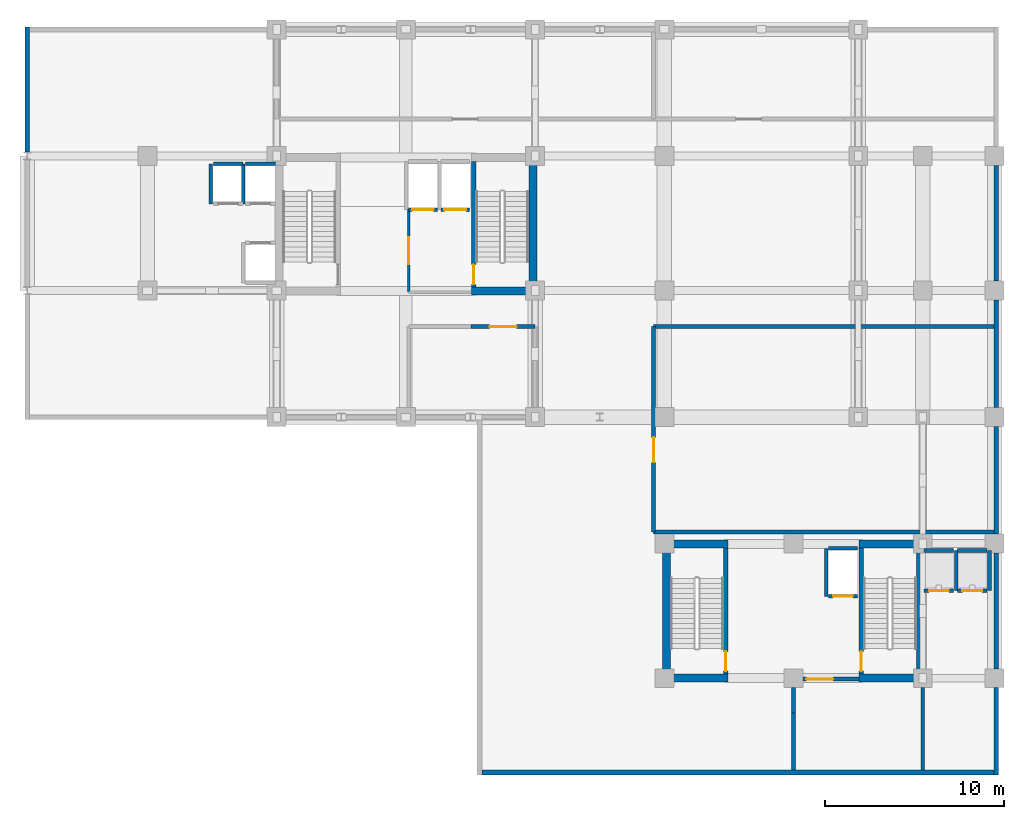
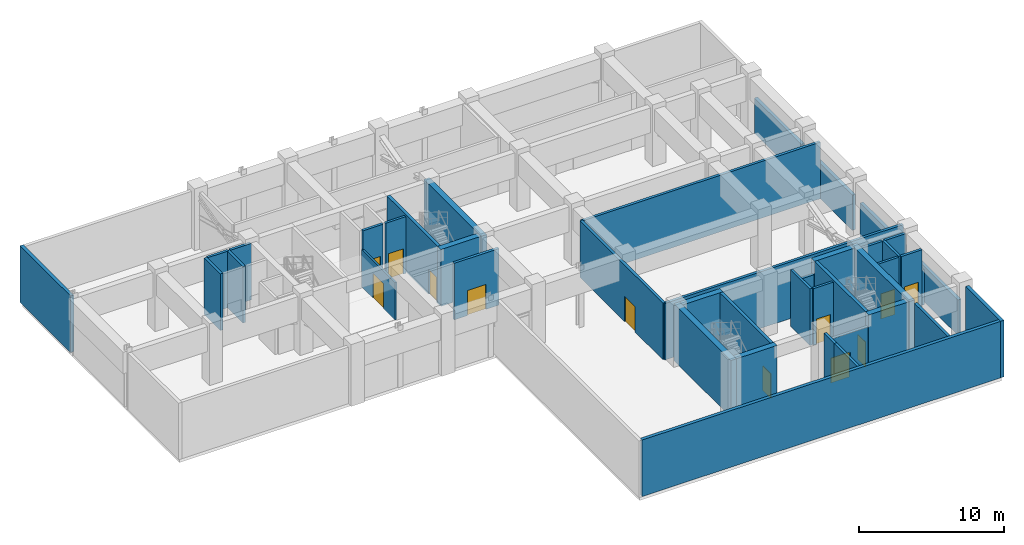
# One storey, part 5 of 10: 42 walls, 12 doors, 12 openings.
"""IFC4 building model written with IfcOpenShell, lengths in metres."""

from ifc_helpers import new_model, si_unit, direction, frame, frame_2d, origin, place, context, subcontext, project, spatial, rectangle, extrude, material, layer, layer_set, type_object, element, fill, save


model = new_model("IFC4")

# Units and contexts
model_context = context("Model", 3, precision=1e-05, world=origin(), true_north=direction((0.0, 1.0)))
body_context = subcontext(model_context, "Body", "Model", "MODEL_VIEW")
ifc_project = project(units=[si_unit("LENGTHUNIT", "METRE"), si_unit("AREAUNIT", "SQUARE_METRE"), si_unit("VOLUMEUNIT", "CUBIC_METRE"), si_unit("PLANEANGLEUNIT", "RADIAN"), si_unit("MASSUNIT", "GRAM", prefix="KILO")], contexts=[model_context])

# Site, building, storey
site_placement = place(None, origin())
site = spatial("IfcSite", under=ifc_project, at=site_placement, CompositionType="ELEMENT")
building_placement = place(site_placement, origin())
building = spatial("IfcBuilding", under=site, at=building_placement, Name="Kaliganga Portal Commons", CompositionType="ELEMENT")
storey_placement = place(building_placement, frame((0.0, 0.0, 192.0)))
storey = spatial("IfcBuildingStorey", under=building, at=storey_placement, Name="L49", CompositionType="ELEMENT", Elevation=192.0)

# Walls
ifc_material_1 = material(Name="Concrete C60/75", Category="concrete")
ifc_layer_1 = layer(ifc_material_1, 0.449951171875)
ifc_layer_set_1 = layer_set([ifc_layer_1], Name="Concrete C60/75")
wall_type_1 = type_object("IfcWallType", Name="WL-CORE-450", PredefinedType="SHEAR", material=ifc_layer_set_1)
wall_1_placement = place(storey_placement, frame((28.675048828125, 28.39990234375, 0.0), z_axis=(0.0, 0.0, 1.0), x_axis=(0.0, 1.0, 0.0)))
element("IfcWall", 1, at=wall_1_placement, inside=storey, type_object=wall_type_1, Name="Core A East Shear Wall L49", PredefinedType="SHEAR", context=body_context, shape_type="SweptSolid", body=[
    extrude(rectangle(XDim=7.900146484375, YDim=0.449951171875, at=frame_2d((3.9501953125, 0.0))), origin(), (0.0, 0.0, 1.0), 4.780029296875),
])
wall_2_placement = place(storey_placement, frame((25.25, 28.625, 0.0), z_axis=(0.0, 0.0, 1.0), x_axis=(1.0, 0.0, 0.0)))
element("IfcWall", 2, at=wall_2_placement, inside=storey, type_object=wall_type_1, Name="Core A S-East Shear Wall L49", PredefinedType="SHEAR", context=body_context, shape_type="SweptSolid", body=[
    extrude(rectangle(XDim=3.199951171875, YDim=0.449951171875, at=frame_2d((1.60009765625, 0.0))), origin(), (0.0, 0.0, 1.0), 4.780029296875),
])
for number, where, z_axis, x_axis, name in (
    (3, (36.125, 6.85009765625, 0.0), (0.0, 0.0, 1.0), (0.0, 1.0, 0.0), "Core B West Shear Wall L49"),
    (4, (50.27490234375, 6.85009765625, 0.0), (0.0, 0.0, 1.0), (0.0, 1.0, 0.0), "Core B East Shear Wall L49"),
):
    element("IfcWall", number, at=place(storey_placement, frame(where, z_axis=z_axis, x_axis=x_axis)), inside=storey, type_object=wall_type_1, Name=name, PredefinedType="SHEAR", context=body_context, shape_type="SweptSolid", body=[
        extrude(rectangle(XDim=7.89990234375, YDim=0.449951171875, at=frame_2d((3.949951171875, 0.0))), origin(), (0.0, 0.0, 1.0), 4.780029296875),
    ])
for number, where, z_axis, x_axis, name in (
    (5, (36.35009765625, 7.074951171875, 0.0), (0.0, 0.0, 1.0), (1.0, 0.0, 0.0), "Core B S-West Shear Wall L49"),
    (6, (46.85009765625, 7.074951171875, 0.0), (0.0, 0.0, 1.0), (1.0, 0.0, 0.0), "Core B S-East Shear Wall L49"),
    (7, (36.35009765625, 14.52490234375, 0.0), (0.0, 0.0, 1.0), (1.0, 0.0, 0.0), "Core B N-West Shear Wall L49"),
    (8, (46.85009765625, 14.52490234375, 0.0), (0.0, 0.0, 1.0), (1.0, 0.0, 0.0), "Core B N-East Shear Wall L49"),
):
    element("IfcWall", number, at=place(storey_placement, frame(where, z_axis=z_axis, x_axis=x_axis)), inside=storey, type_object=wall_type_1, Name=name, PredefinedType="SHEAR", context=body_context, shape_type="SweptSolid", body=[
        extrude(rectangle(XDim=3.199951171875, YDim=0.449951171875, at=frame_2d((1.60009765625, 0.0))), origin(), (0.0, 0.0, 1.0), 4.780029296875),
    ])
ifc_material_2 = material(Name="Insulated Aluminium-Clad Spandrel Assembly", Category="aluminium")
ifc_layer_2 = layer(ifc_material_2, 0.260009765625)
ifc_layer_set_2 = layer_set([ifc_layer_2], Name="Insulated Aluminium-Clad Spandrel Assembly")
wall_type_2 = type_object("IfcWallType", Name="WL-EXT-SPAND-260", PredefinedType="STANDARD", material=ifc_layer_set_2)
wall_3_placement = place(storey_placement, frame((54.364990234375, 1.800048828125, 0.0), z_axis=(0.0, 0.0, 1.0), x_axis=(-1.0, 0.0, 0.0)))
element("IfcWall", 9, at=wall_3_placement, inside=storey, type_object=wall_type_2, Name="Exterior Envelope Wall L49 P1-E00-S1", PredefinedType="STANDARD", context=body_context, shape_type="SweptSolid", body=[
    extrude(rectangle(XDim=28.530029296875, YDim=0.260009765625, at=frame_2d((14.26513671875, 0.0))), origin(), (0.0, 0.0, 1.0), 4.760009765625),
])
wall_4_placement = place(storey_placement, frame((54.5, 6.52392578125, 0.0), z_axis=(0.0, 0.0, 1.0), x_axis=(0.0, -1.0, 0.0)))
element("IfcWall", 10, at=wall_4_placement, inside=storey, type_object=wall_type_2, Name="Exterior Envelope Wall L49 P1-E01-S1", PredefinedType="STANDARD", context=body_context, shape_type="SweptSolid", body=[
    extrude(rectangle(XDim=4.85400390625, YDim=0.260009765625, at=frame_2d((2.427001953125, 0.0))), origin(), (0.0, 0.0, 1.0), 4.760009765625),
])
wall_5_placement = place(storey_placement, frame((54.5, 14.02392578125, 0.0), z_axis=(0.0, 0.0, 1.0), x_axis=(0.0, -1.0, 0.0)))
element("IfcWall", 11, at=wall_5_placement, inside=storey, type_object=wall_type_2, Name="Exterior Envelope Wall L49 P1-E01-S2", PredefinedType="STANDARD", context=body_context, shape_type="SweptSolid", body=[
    extrude(rectangle(XDim=6.447998046875, YDim=0.260009765625, at=frame_2d((3.22412109375, 0.0))), origin(), (0.0, 0.0, 1.0), 2.9599609375),
])
for number, where, z_axis, x_axis, name in (
    (12, (54.5, 21.073974609375, 0.0), (0.0, 0.0, 1.0), (0.0, -1.0, 0.0), "Exterior Envelope Wall L49 P1-E01-S3"),
    (13, (54.5, 28.1240234375, 0.0), (0.0, 0.0, 1.0), (0.0, -1.0, 0.0), "Exterior Envelope Wall L49 P1-E01-S4"),
):
    element("IfcWall", number, at=place(storey_placement, frame(where, z_axis=z_axis, x_axis=x_axis)), inside=storey, type_object=wall_type_2, Name=name, PredefinedType="STANDARD", context=body_context, shape_type="SweptSolid", body=[
        extrude(rectangle(XDim=5.998046875, YDim=0.260009765625, at=frame_2d((2.9990234375, 0.0))), origin(), (0.0, 0.0, 1.0), 2.9599609375),
    ])
wall_6_placement = place(storey_placement, frame((54.5, 35.6240234375, 0.0), z_axis=(0.0, 0.0, 1.0), x_axis=(0.0, -1.0, 0.0)))
element("IfcWall", 14, at=wall_6_placement, inside=storey, type_object=wall_type_2, Name="Exterior Envelope Wall L49 P1-E01-S5", PredefinedType="STANDARD", context=body_context, shape_type="SweptSolid", body=[
    extrude(rectangle(XDim=6.447998046875, YDim=0.260009765625, at=frame_2d((3.22412109375, 0.0))), origin(), (0.0, 0.0, 1.0), 2.9599609375),
])
wall_7_placement = place(storey_placement, frame((0.5, 36.35791015625, 0.0), z_axis=(0.0, 0.0, 1.0), x_axis=(0.0, 1.0, 0.0)))
element("IfcWall", 15, at=wall_7_placement, inside=storey, type_object=wall_type_2, Name="Exterior Envelope Wall L49 P1-E03-S1", PredefinedType="STANDARD", context=body_context, shape_type="SweptSolid", body=[
    extrude(rectangle(XDim=6.97216796875, YDim=0.260009765625, at=frame_2d((3.486083984375, 0.0))), origin(), (0.0, 0.0, 1.0), 4.760009765625),
])

# Wall, opening, door
ifc_material_3 = material(Name="Fire-Rated Gypsum Board on Steel Stud", Category="steel")
ifc_layer_3 = layer(ifc_material_3, 0.14990234375)
ifc_layer_set_3 = layer_set([ifc_layer_3], Name="Fire-Rated Gypsum Board on Steel Stud")
wall_type_3 = type_object("IfcWallType", Name="WL-PART-CORR-150", PredefinedType="PARTITIONING", material=ifc_layer_set_3)
wall_8_placement = place(storey_placement, frame((21.760009765625, 28.56005859375, 0.0), z_axis=(0.0, 0.0, 1.0), x_axis=(0.0, 1.0, 0.0)))
wall_8 = element("IfcWall", 16, at=wall_8_placement, inside=storey, type_object=wall_type_3, Name="Interior Partition L49-016", PredefinedType="PARTITIONING", context=body_context, shape_type="SweptSolid", body=[
    extrude(rectangle(XDim=4.599853515625, YDim=0.14990234375, at=frame_2d((2.2998046875, 0.0))), origin(), (0.0, 0.0, 1.0), 3.159912109375),
])
opening_1_placement = place(wall_8_placement, frame((1.550048828125, 0.0, 0.0)))
opening_1 = element("IfcOpeningElement", 17, at=opening_1_placement, cuts=wall_8, Name="Opening FD-01", PredefinedType="OPENING", context=body_context, shape_type="SweptSolid", body=[
    extrude(rectangle(XDim=1.5, YDim=2.10009765625, at=frame_2d((0.75, 1.050048828125))), frame((0.0, 0.0849609375, 0.0), z_axis=(0.0, -1.0, 0.0), x_axis=(1.0, 0.0, 0.0)), (0.0, 0.0, 1.0), 0.169921875),
])
ifc_material_4 = material(Name="Fire-Rated Hardwood and Georgian-Wired Vision Panel", Category="wood")
door_type_1 = type_object("IfcDoorType", Name="DR-LOBBY-1500", OperationType="DOUBLE_DOOR_SINGLE_SWING", PredefinedType="DOOR", material=ifc_material_4)
door_1_placement = place(opening_1_placement, origin())
door_1 = element("IfcDoor", 18, at=door_1_placement, inside=storey, type_object=door_type_1, Name="Interior Door L49-FFLOB_A", OperationType="DOUBLE_DOOR_SINGLE_SWING", OverallHeight=2.10009765625, OverallWidth=1.5, PredefinedType="DOOR", context=body_context, shape_type="SweptSolid", body=[
    extrude(rectangle(XDim=1.5, YDim=2.10009765625, at=frame_2d((0.75, 1.050048828125))), frame((0.0, 0.02490234375, 0.0), z_axis=(0.0, -1.0, 0.0), x_axis=(1.0, 0.0, 0.0)), (0.0, 0.0, 1.0), 0.050048828125),
])
fill(opening_1, door_1)

ifc_material_5 = material(Name="Lightweight blockwork masonry", Category="masonry")
ifc_layer_4 = layer(ifc_material_5, 0.215087890625)
ifc_layer_set_4 = layer_set([ifc_layer_4], Name="Lightweight blockwork masonry")
wall_type_4 = type_object("IfcWallType", Name="WL-PART-PLANT-215", PredefinedType="PARTITIONING", material=ifc_layer_set_4)
wall_9_placement = place(storey_placement, frame((43.72509765625, 7.0, 0.0), z_axis=(0.0, 0.0, 1.0), x_axis=(1.0, 0.0, 0.0)))
wall_9 = element("IfcWall", 19, at=wall_9_placement, inside=storey, type_object=wall_type_4, Name="Interior Partition L49-001", PredefinedType="PARTITIONING", context=body_context, shape_type="SweptSolid", body=[
    extrude(rectangle(XDim=3.114990234375, YDim=0.215087890625, at=frame_2d((1.5576171875, 0.0))), origin(), (0.0, 0.0, 1.0), 3.760009765625),
])
opening_2_placement = place(wall_9_placement, frame((0.1845703125, 0.0, 0.0)))
opening_2 = element("IfcOpeningElement", 20, at=opening_2_placement, cuts=wall_9, Name="Opening FD-01", PredefinedType="OPENING", context=body_context, shape_type="SweptSolid", body=[
    extrude(rectangle(XDim=1.5, YDim=2.10009765625, at=frame_2d((0.75, 1.050048828125))), frame((0.0, 0.11767578125, 0.0), z_axis=(0.0, -1.0, 0.0), x_axis=(1.0, 0.0, 0.0)), (0.0, 0.0, 1.0), 0.235107421875),
])
door_2_placement = place(opening_2_placement, origin())
door_2 = element("IfcDoor", 21, at=door_2_placement, inside=storey, type_object=door_type_1, Name="Interior Door L49-REFB", OperationType="DOUBLE_DOOR_SINGLE_SWING", OverallHeight=2.10009765625, OverallWidth=1.5, PredefinedType="DOOR", context=body_context, shape_type="SweptSolid", body=[
    extrude(rectangle(XDim=1.5, YDim=2.10009765625, at=frame_2d((0.75, 1.050048828125))), frame((0.0, 0.02490234375, 0.0), z_axis=(0.0, -1.0, 0.0), x_axis=(1.0, 0.0, 0.0)), (0.0, 0.0, 1.0), 0.050048828125),
])
fill(opening_2, door_2)

wall_10_placement = place(storey_placement, frame((35.39990234375, 15.199951171875, 0.0), z_axis=(0.0, 0.0, 1.0), x_axis=(0.0, 1.0, 0.0)))
wall_10 = element("IfcWall", 22, at=wall_10_placement, inside=storey, type_object=wall_type_4, Name="Interior Partition L49-003", PredefinedType="PARTITIONING", context=body_context, shape_type="SweptSolid", body=[
    extrude(rectangle(XDim=11.43994140625, YDim=0.215087890625, at=frame_2d((5.719970703125, 0.0))), origin(), (0.0, 0.0, 1.0), 4.760009765625),
])
opening_3_placement = place(wall_10_placement, frame((3.8759765625, 0.0, 0.0)))
opening_3 = element("IfcOpeningElement", 23, at=opening_3_placement, cuts=wall_10, Name="Opening PD-01", PredefinedType="OPENING", context=body_context, shape_type="SweptSolid", body=[
    extrude(rectangle(XDim=1.39990234375, YDim=2.14990234375, at=frame_2d((0.699951171875, 1.074951171875))), frame((0.0, 0.11767578125, 0.0), z_axis=(0.0, -1.0, 0.0), x_axis=(1.0, 0.0, 0.0)), (0.0, 0.0, 1.0), 0.235107421875),
])
ifc_material_6 = material(Name="Heavy-Duty Steel Acoustic Louvre Fire Door", Category="steel")
door_type_2 = type_object("IfcDoorType", Name="DR-PLANT-1400", OperationType="DOUBLE_DOOR_SINGLE_SWING", PredefinedType="DOOR", material=ifc_material_6)
door_3_placement = place(opening_3_placement, origin())
door_3 = element("IfcDoor", 24, at=door_3_placement, inside=storey, type_object=door_type_2, Name="Interior Door L49-HEX", OperationType="DOUBLE_DOOR_SINGLE_SWING", OverallHeight=2.14990234375, OverallWidth=1.39990234375, PredefinedType="DOOR", context=body_context, shape_type="SweptSolid", body=[
    extrude(rectangle(XDim=1.39990234375, YDim=2.14990234375, at=frame_2d((0.699951171875, 1.074951171875))), frame((0.0, 0.02490234375, 0.0), z_axis=(0.0, -1.0, 0.0), x_axis=(1.0, 0.0, 0.0)), (0.0, 0.0, 1.0), 0.050048828125),
])
fill(opening_3, door_3)

wall_11_placement = place(storey_placement, frame((25.239990234375, 26.639892578125, 0.0), z_axis=(0.0, 0.0, 1.0), x_axis=(1.0, 0.0, 0.0)))
wall_11 = element("IfcWall", 25, at=wall_11_placement, inside=storey, type_object=wall_type_4, Name="Interior Partition L49-005", PredefinedType="PARTITIONING", context=body_context, shape_type="SweptSolid", body=[
    extrude(rectangle(XDim=3.56005859375, YDim=0.215087890625, at=frame_2d((1.780029296875, 0.0))), origin(), (0.0, 0.0, 1.0), 4.760009765625),
])
opening_4_placement = place(wall_11_placement, frame((1.030029296875, 0.0, 0.0)))
opening_4 = element("IfcOpeningElement", 26, at=opening_4_placement, cuts=wall_11, Name="Opening FD-01", PredefinedType="OPENING", context=body_context, shape_type="SweptSolid", body=[
    extrude(rectangle(XDim=1.5, YDim=2.10009765625, at=frame_2d((0.75, 1.050048828125))), frame((0.0, 0.11767578125, 0.0), z_axis=(0.0, -1.0, 0.0), x_axis=(1.0, 0.0, 0.0)), (0.0, 0.0, 1.0), 0.235107421875),
])
door_4_placement = place(opening_4_placement, origin())
door_4 = element("IfcDoor", 27, at=door_4_placement, inside=storey, type_object=door_type_1, Name="Interior Door L49-REFA", OperationType="DOUBLE_DOOR_SINGLE_SWING", OverallHeight=2.10009765625, OverallWidth=1.5, PredefinedType="DOOR", context=body_context, shape_type="SweptSolid", body=[
    extrude(rectangle(XDim=1.5, YDim=2.10009765625, at=frame_2d((0.75, 1.050048828125))), frame((0.0, 0.02490234375, 0.0), z_axis=(0.0, -1.0, 0.0), x_axis=(1.0, 0.0, 0.0)), (0.0, 0.0, 1.0), 0.050048828125),
])
fill(opening_4, door_4)

# Walls
wall_12_placement = place(storey_placement, frame((43.199951171875, 5.10009765625, 0.0), z_axis=(0.0, 0.0, 1.0), x_axis=(0.0, 1.0, 0.0)))
element("IfcWall", 28, at=wall_12_placement, inside=storey, type_object=wall_type_4, Name="Interior Partition L49-006", PredefinedType="PARTITIONING", context=body_context, shape_type="SweptSolid", body=[
    extrude(rectangle(XDim=1.4248046875, YDim=0.215087890625, at=frame_2d((0.71240234375, 0.0))), origin(), (0.0, 0.0, 1.0), 4.760009765625),
])
for number, where, z_axis, x_axis, name in (
    (29, (35.39990234375, 15.199951171875, 0.0), (0.0, 0.0, 1.0), (1.0, 0.0, 0.0), "Interior Partition L49-007"),
    (30, (35.39990234375, 26.639892578125, 0.0), (0.0, 0.0, 1.0), (1.0, 0.0, 0.0), "Interior Partition L49-008"),
):
    element("IfcWall", number, at=place(storey_placement, frame(where, z_axis=z_axis, x_axis=x_axis)), inside=storey, type_object=wall_type_4, Name=name, PredefinedType="PARTITIONING", context=body_context, shape_type="SweptSolid", body=[
        extrude(rectangle(XDim=18.968017578125, YDim=0.215087890625, at=frame_2d((9.48388671875, 0.0))), origin(), (0.0, 0.0, 1.0), 4.760009765625),
    ])
wall_13_placement = place(storey_placement, frame((50.39990234375, 1.931884765625, 0.0), z_axis=(0.0, 0.0, 1.0), x_axis=(0.0, 1.0, 0.0)))
element("IfcWall", 31, at=wall_13_placement, inside=storey, type_object=wall_type_4, Name="Interior Partition L49-011", PredefinedType="PARTITIONING", context=body_context, shape_type="SweptSolid", body=[
    extrude(rectangle(XDim=4.593017578125, YDim=0.215087890625, at=frame_2d((2.29638671875, 0.0))), origin(), (0.0, 0.0, 1.0), 4.760009765625),
])
wall_14_placement = place(storey_placement, frame((43.199951171875, 1.931884765625, 0.0), z_axis=(0.0, 0.0, 1.0), x_axis=(0.0, 1.0, 0.0)))
element("IfcWall", 32, at=wall_14_placement, inside=storey, type_object=wall_type_4, Name="Interior Partition L49-019", PredefinedType="PARTITIONING", context=body_context, shape_type="SweptSolid", body=[
    extrude(rectangle(XDim=3.168212890625, YDim=0.215087890625, at=frame_2d((1.583984375, 0.0))), origin(), (0.0, 0.0, 1.0), 4.760009765625),
])
ifc_material_7 = material(Name="Fire-Rated Shaftwall Masonry Assembly", Category="masonry")
ifc_layer_5 = layer(ifc_material_7, 0.199951171875)
ifc_layer_set_5 = layer_set([ifc_layer_5], Name="Fire-Rated Shaftwall Masonry Assembly")
wall_type_5 = type_object("IfcWallType", Name="WL-SHAFT-200", PredefinedType="PARTITIONING", material=ifc_layer_set_5)
wall_15_placement = place(storey_placement, frame((12.675048828125, 35.715087890625, 0.0), z_axis=(0.0, 0.0, 1.0), x_axis=(1.0, 0.0, 0.0)))
element("IfcWall", 33, at=wall_15_placement, inside=storey, type_object=wall_type_5, Name="Lift PL-A3 Hoistway Shaft Wall L49-N", PredefinedType="PARTITIONING", context=body_context, shape_type="SweptSolid", body=[
    extrude(rectangle(XDim=1.64990234375, YDim=0.199951171875, at=frame_2d((0.824951171875, 0.0))), origin(), (0.0, 0.0, 1.0), 4.760009765625),
])
wall_16_placement = place(storey_placement, frame((12.534912109375, 33.485107421875, 0.0), z_axis=(0.0, 0.0, 1.0), x_axis=(0.0, 1.0, 0.0)))
element("IfcWall", 34, at=wall_16_placement, inside=storey, type_object=wall_type_5, Name="Lift PL-A3 Hoistway Shaft Wall L49-W", PredefinedType="PARTITIONING", context=body_context, shape_type="SweptSolid", body=[
    extrude(rectangle(XDim=2.22998046875, YDim=0.199951171875, at=frame_2d((1.114990234375, 0.0))), origin(), (0.0, 0.0, 1.0), 4.760009765625),
])
wall_17_placement = place(storey_placement, frame((10.875, 35.715087890625, 0.0), z_axis=(0.0, 0.0, 1.0), x_axis=(1.0, 0.0, 0.0)))
element("IfcWall", 35, at=wall_17_placement, inside=storey, type_object=wall_type_5, Name="Lift PL-OBS Hoistway Shaft Wall L49-N", PredefinedType="PARTITIONING", context=body_context, shape_type="SweptSolid", body=[
    extrude(rectangle(XDim=1.64990234375, YDim=0.199951171875, at=frame_2d((0.824951171875, 0.0))), origin(), (0.0, 0.0, 1.0), 4.760009765625),
])
wall_18_placement = place(storey_placement, frame((10.735107421875, 33.485107421875, 0.0), z_axis=(0.0, 0.0, 1.0), x_axis=(0.0, 1.0, 0.0)))
element("IfcWall", 36, at=wall_18_placement, inside=storey, type_object=wall_type_5, Name="Lift PL-OBS Hoistway Shaft Wall L49-W", PredefinedType="PARTITIONING", context=body_context, shape_type="SweptSolid", body=[
    extrude(rectangle(XDim=2.22998046875, YDim=0.199951171875, at=frame_2d((1.114990234375, 0.0))), origin(), (0.0, 0.0, 1.0), 4.760009765625),
])

# Wall, opening, door
wall_19_placement = place(storey_placement, frame((21.75, 33.159912109375, 0.0), z_axis=(0.0, 0.0, 1.0), x_axis=(1.0, 0.0, 0.0)))
wall_19 = element("IfcWall", 37, at=wall_19_placement, inside=storey, type_object=wall_type_5, Name="Lift FFL-1 Hoistway Shaft Wall L49-S", PredefinedType="PARTITIONING", context=body_context, shape_type="SweptSolid", body=[
    extrude(rectangle(XDim=1.60009765625, YDim=0.199951171875, at=frame_2d((0.800048828125, 0.0))), origin(), (0.0, 0.0, 1.0), 4.760009765625),
])
opening_5_placement = place(wall_19_placement, frame((0.199951171875, 0.0, 0.0)))
opening_5 = element("IfcOpeningElement", 38, at=opening_5_placement, cuts=wall_19, Name="Opening LD-02", PredefinedType="OPENING", context=body_context, shape_type="SweptSolid", body=[
    extrude(rectangle(XDim=1.199951171875, YDim=2.1201171875, at=frame_2d((0.60009765625, 1.06005859375))), frame((0.0, 0.10986328125, 0.0), z_axis=(0.0, -1.0, 0.0), x_axis=(1.0, 0.0, 0.0)), (0.0, 0.0, 1.0), 0.219970703125),
])
ifc_material_8 = material(Name="Brushed Stainless Steel 316 Stretcher Lift Landing Door", Category="steel")
door_type_3 = type_object("IfcDoorType", Name="DR-LIFT-1200", OperationType="SLIDING_TO_RIGHT", PredefinedType="DOOR", material=ifc_material_8)
door_5_placement = place(opening_5_placement, origin())
door_5 = element("IfcDoor", 39, at=door_5_placement, inside=storey, type_object=door_type_3, Name="Lift FFL-1 Sliding Landing Door L49", OperationType="SLIDING_TO_RIGHT", OverallHeight=2.1201171875, OverallWidth=1.199951171875, PredefinedType="DOOR", context=body_context, shape_type="SweptSolid", body=[
    extrude(rectangle(XDim=1.199951171875, YDim=2.1201171875, at=frame_2d((0.60009765625, 1.06005859375))), frame((0.0, 0.02490234375, 0.0), z_axis=(0.0, -1.0, 0.0), x_axis=(1.0, 0.0, 0.0)), (0.0, 0.0, 1.0), 0.050048828125),
])
fill(opening_5, door_5)

wall_20_placement = place(storey_placement, frame((23.550048828125, 33.159912109375, 0.0), z_axis=(0.0, 0.0, 1.0), x_axis=(1.0, 0.0, 0.0)))
wall_20 = element("IfcWall", 40, at=wall_20_placement, inside=storey, type_object=wall_type_5, Name="Lift FFL-2 Hoistway Shaft Wall L49-S", PredefinedType="PARTITIONING", context=body_context, shape_type="SweptSolid", body=[
    extrude(rectangle(XDim=1.599853515625, YDim=0.199951171875, at=frame_2d((0.7998046875, 0.0))), origin(), (0.0, 0.0, 1.0), 4.760009765625),
])
opening_6_placement = place(wall_20_placement, frame((0.199951171875, 0.0, 0.0)))
opening_6 = element("IfcOpeningElement", 41, at=opening_6_placement, cuts=wall_20, Name="Opening LD-02", PredefinedType="OPENING", context=body_context, shape_type="SweptSolid", body=[
    extrude(rectangle(XDim=1.199951171875, YDim=2.1201171875, at=frame_2d((0.60009765625, 1.06005859375))), frame((0.0, 0.10986328125, 0.0), z_axis=(0.0, -1.0, 0.0), x_axis=(1.0, 0.0, 0.0)), (0.0, 0.0, 1.0), 0.219970703125),
])
door_6_placement = place(opening_6_placement, origin())
door_6 = element("IfcDoor", 42, at=door_6_placement, inside=storey, type_object=door_type_3, Name="Lift FFL-2 Sliding Landing Door L49", OperationType="SLIDING_TO_RIGHT", OverallHeight=2.1201171875, OverallWidth=1.199951171875, PredefinedType="DOOR", context=body_context, shape_type="SweptSolid", body=[
    extrude(rectangle(XDim=1.199951171875, YDim=2.1201171875, at=frame_2d((0.60009765625, 1.06005859375))), frame((0.0, 0.02490234375, 0.0), z_axis=(0.0, -1.0, 0.0), x_axis=(1.0, 0.0, 0.0)), (0.0, 0.0, 1.0), 0.050048828125),
])
fill(opening_6, door_6)

wall_21_placement = place(storey_placement, frame((50.47509765625, 11.93505859375, 0.0), z_axis=(0.0, 0.0, 1.0), x_axis=(1.0, 0.0, 0.0)))
wall_21 = element("IfcWall", 43, at=wall_21_placement, inside=storey, type_object=wall_type_5, Name="Lift PL-B3 Hoistway Shaft Wall L49-S", PredefinedType="PARTITIONING", context=body_context, shape_type="SweptSolid", body=[
    extrude(rectangle(XDim=1.64990234375, YDim=0.199951171875, at=frame_2d((0.824951171875, 0.0))), origin(), (0.0, 0.0, 1.0), 4.760009765625),
])
opening_7_placement = place(wall_21_placement, frame((0.27490234375, 0.0, 0.0)))
opening_7 = element("IfcOpeningElement", 44, at=opening_7_placement, cuts=wall_21, Name="Opening LD-01", PredefinedType="OPENING", context=body_context, shape_type="SweptSolid", body=[
    extrude(rectangle(XDim=1.10009765625, YDim=2.1201171875, at=frame_2d((0.550048828125, 1.06005859375))), frame((0.0, 0.10986328125, 0.0), z_axis=(0.0, -1.0, 0.0), x_axis=(1.0, 0.0, 0.0)), (0.0, 0.0, 1.0), 0.219970703125),
])
ifc_material_9 = material(Name="Brushed Stainless Steel 316 Lift Landing Door", Category="steel")
door_type_4 = type_object("IfcDoorType", Name="DR-LIFT-1100", OperationType="SLIDING_TO_LEFT", PredefinedType="DOOR", material=ifc_material_9)
door_7_placement = place(opening_7_placement, origin())
door_7 = element("IfcDoor", 45, at=door_7_placement, inside=storey, type_object=door_type_4, Name="Lift PL-B3 Sliding Landing Door L49", OperationType="SLIDING_TO_LEFT", OverallHeight=2.1201171875, OverallWidth=1.10009765625, PredefinedType="DOOR", context=body_context, shape_type="SweptSolid", body=[
    extrude(rectangle(XDim=1.10009765625, YDim=2.1201171875, at=frame_2d((0.550048828125, 1.06005859375))), frame((0.0, 0.02490234375, 0.0), z_axis=(0.0, -1.0, 0.0), x_axis=(1.0, 0.0, 0.0)), (0.0, 0.0, 1.0), 0.050048828125),
])
fill(opening_7, door_7)

# Walls
wall_22_placement = place(storey_placement, frame((50.47509765625, 14.1650390625, 0.0), z_axis=(0.0, 0.0, 1.0), x_axis=(1.0, 0.0, 0.0)))
element("IfcWall", 46, at=wall_22_placement, inside=storey, type_object=wall_type_5, Name="Lift PL-B3 Hoistway Shaft Wall L49-N", PredefinedType="PARTITIONING", context=body_context, shape_type="SweptSolid", body=[
    extrude(rectangle(XDim=1.64990234375, YDim=0.199951171875, at=frame_2d((0.824951171875, 0.0))), origin(), (0.0, 0.0, 1.0), 4.760009765625),
])
wall_23_placement = place(storey_placement, frame((52.264892578125, 11.93505859375, 0.0), z_axis=(0.0, 0.0, 1.0), x_axis=(0.0, 1.0, 0.0)))
element("IfcWall", 47, at=wall_23_placement, inside=storey, type_object=wall_type_5, Name="Lift PL-B3 Hoistway Shaft Wall L49-E", PredefinedType="PARTITIONING", context=body_context, shape_type="SweptSolid", body=[
    extrude(rectangle(XDim=2.22998046875, YDim=0.199951171875, at=frame_2d((1.114990234375, 0.0))), origin(), (0.0, 0.0, 1.0), 4.760009765625),
])

# Wall, opening, door
wall_24_placement = place(storey_placement, frame((52.324951171875, 11.93505859375, 0.0), z_axis=(0.0, 0.0, 1.0), x_axis=(1.0, 0.0, 0.0)))
wall_24 = element("IfcWall", 48, at=wall_24_placement, inside=storey, type_object=wall_type_5, Name="Lift PL-B4 Hoistway Shaft Wall L49-S", PredefinedType="PARTITIONING", context=body_context, shape_type="SweptSolid", body=[
    extrude(rectangle(XDim=1.650146484375, YDim=0.199951171875, at=frame_2d((0.8251953125, 0.0))), origin(), (0.0, 0.0, 1.0), 4.760009765625),
])
opening_8_placement = place(wall_24_placement, frame((0.27490234375, 0.0, 0.0)))
opening_8 = element("IfcOpeningElement", 49, at=opening_8_placement, cuts=wall_24, Name="Opening LD-01", PredefinedType="OPENING", context=body_context, shape_type="SweptSolid", body=[
    extrude(rectangle(XDim=1.10009765625, YDim=2.1201171875, at=frame_2d((0.550048828125, 1.06005859375))), frame((0.0, 0.10986328125, 0.0), z_axis=(0.0, -1.0, 0.0), x_axis=(1.0, 0.0, 0.0)), (0.0, 0.0, 1.0), 0.219970703125),
])
door_8_placement = place(opening_8_placement, origin())
door_8 = element("IfcDoor", 50, at=door_8_placement, inside=storey, type_object=door_type_4, Name="Lift PL-B4 Sliding Landing Door L49", OperationType="SLIDING_TO_LEFT", OverallHeight=2.1201171875, OverallWidth=1.10009765625, PredefinedType="DOOR", context=body_context, shape_type="SweptSolid", body=[
    extrude(rectangle(XDim=1.10009765625, YDim=2.1201171875, at=frame_2d((0.550048828125, 1.06005859375))), frame((0.0, 0.02490234375, 0.0), z_axis=(0.0, -1.0, 0.0), x_axis=(1.0, 0.0, 0.0)), (0.0, 0.0, 1.0), 0.050048828125),
])
fill(opening_8, door_8)

# Walls
wall_25_placement = place(storey_placement, frame((52.324951171875, 14.1650390625, 0.0), z_axis=(0.0, 0.0, 1.0), x_axis=(1.0, 0.0, 0.0)))
element("IfcWall", 51, at=wall_25_placement, inside=storey, type_object=wall_type_5, Name="Lift PL-B4 Hoistway Shaft Wall L49-N", PredefinedType="PARTITIONING", context=body_context, shape_type="SweptSolid", body=[
    extrude(rectangle(XDim=1.650146484375, YDim=0.199951171875, at=frame_2d((0.8251953125, 0.0))), origin(), (0.0, 0.0, 1.0), 4.760009765625),
])
wall_26_placement = place(storey_placement, frame((54.114990234375, 11.93505859375, 0.0), z_axis=(0.0, 0.0, 1.0), x_axis=(0.0, 1.0, 0.0)))
element("IfcWall", 52, at=wall_26_placement, inside=storey, type_object=wall_type_5, Name="Lift PL-B4 Hoistway Shaft Wall L49-E", PredefinedType="PARTITIONING", context=body_context, shape_type="SweptSolid", body=[
    extrude(rectangle(XDim=2.22998046875, YDim=0.199951171875, at=frame_2d((1.114990234375, 0.0))), origin(), (0.0, 0.0, 1.0), 2.9599609375),
])

# Wall, opening, door
wall_27_placement = place(storey_placement, frame((45.14990234375, 11.610107421875, 0.0), z_axis=(0.0, 0.0, 1.0), x_axis=(1.0, 0.0, 0.0)))
wall_27 = element("IfcWall", 53, at=wall_27_placement, inside=storey, type_object=wall_type_5, Name="Lift SL-B1 Hoistway Shaft Wall L49-S", PredefinedType="PARTITIONING", context=body_context, shape_type="SweptSolid", body=[
    extrude(rectangle(XDim=1.60009765625, YDim=0.199951171875, at=frame_2d((0.800048828125, 0.0))), origin(), (0.0, 0.0, 1.0), 4.760009765625),
])
opening_9_placement = place(wall_27_placement, frame((0.25, 0.0, 0.0)))
opening_9 = element("IfcOpeningElement", 54, at=opening_9_placement, cuts=wall_27, Name="Opening LD-01", PredefinedType="OPENING", context=body_context, shape_type="SweptSolid", body=[
    extrude(rectangle(XDim=1.10009765625, YDim=2.1201171875, at=frame_2d((0.550048828125, 1.06005859375))), frame((0.0, 0.10986328125, 0.0), z_axis=(0.0, -1.0, 0.0), x_axis=(1.0, 0.0, 0.0)), (0.0, 0.0, 1.0), 0.219970703125),
])
door_9_placement = place(opening_9_placement, origin())
door_9 = element("IfcDoor", 55, at=door_9_placement, inside=storey, type_object=door_type_4, Name="Lift SL-B1 Sliding Landing Door L49", OperationType="SLIDING_TO_LEFT", OverallHeight=2.1201171875, OverallWidth=1.10009765625, PredefinedType="DOOR", context=body_context, shape_type="SweptSolid", body=[
    extrude(rectangle(XDim=1.10009765625, YDim=2.1201171875, at=frame_2d((0.550048828125, 1.06005859375))), frame((0.0, 0.02490234375, 0.0), z_axis=(0.0, -1.0, 0.0), x_axis=(1.0, 0.0, 0.0)), (0.0, 0.0, 1.0), 0.050048828125),
])
fill(opening_9, door_9)

# Walls
wall_28_placement = place(storey_placement, frame((45.14990234375, 14.2900390625, 0.0), z_axis=(0.0, 0.0, 1.0), x_axis=(1.0, 0.0, 0.0)))
element("IfcWall", 56, at=wall_28_placement, inside=storey, type_object=wall_type_5, Name="Lift SL-B1 Hoistway Shaft Wall L49-N", PredefinedType="PARTITIONING", context=body_context, shape_type="SweptSolid", body=[
    extrude(rectangle(XDim=1.60009765625, YDim=0.199951171875, at=frame_2d((0.800048828125, 0.0))), origin(), (0.0, 0.0, 1.0), 3.760009765625),
])
wall_29_placement = place(storey_placement, frame((45.010009765625, 11.610107421875, 0.0), z_axis=(0.0, 0.0, 1.0), x_axis=(0.0, 1.0, 0.0)))
element("IfcWall", 57, at=wall_29_placement, inside=storey, type_object=wall_type_5, Name="Lift SL-B1 Hoistway Shaft Wall L49-W", PredefinedType="PARTITIONING", context=body_context, shape_type="SweptSolid", body=[
    extrude(rectangle(XDim=2.679931640625, YDim=0.199951171875, at=frame_2d((1.33984375, 0.0))), origin(), (0.0, 0.0, 1.0), 4.760009765625),
])

# Wall, opening, door
ifc_material_10 = material(Name="Concrete C50/60", Category="concrete")
ifc_layer_6 = layer(ifc_material_10, 0.25)
ifc_layer_set_6 = layer_set([ifc_layer_6], Name="Concrete C50/60")
wall_type_6 = type_object("IfcWallType", Name="WL-STAIR-250", PredefinedType="SHEAR", material=ifc_layer_set_6)
wall_30_placement = place(storey_placement, frame((25.375, 28.85009765625, 0.0), z_axis=(0.0, 0.0, 1.0), x_axis=(0.0, 1.0, 0.0)))
wall_30 = element("IfcWall", 58, at=wall_30_placement, inside=storey, type_object=wall_type_6, Name="Stair A2 Enclosure Shear Wall L49", PredefinedType="SHEAR", context=body_context, shape_type="SweptSolid", body=[
    extrude(rectangle(XDim=7.0, YDim=0.25, at=frame_2d((3.5, 0.0))), origin(), (0.0, 0.0, 1.0), 4.780029296875),
])
opening_10_placement = place(wall_30_placement, frame((0.14990234375, 0.0, 0.0)))
opening_10 = element("IfcOpeningElement", 59, at=opening_10_placement, cuts=wall_30, Name="Opening SD-01", PredefinedType="OPENING", context=body_context, shape_type="SweptSolid", body=[
    extrude(rectangle(XDim=1.10009765625, YDim=2.080078125, at=frame_2d((0.550048828125, 1.0400390625))), frame((0.0, 0.135009765625, 0.0), z_axis=(0.0, -1.0, 0.0), x_axis=(1.0, 0.0, 0.0)), (0.0, 0.0, 1.0), 0.27001953125),
])
ifc_material_11 = material(Name="Galvanized Steel Fire Door Leaf and Frame", Category="steel")
door_type_5 = type_object("IfcDoorType", Name="DR-STAIR-1100", OperationType="NOTDEFINED", PredefinedType="DOOR", material=ifc_material_11)
door_10_placement = place(opening_10_placement, origin())
door_10 = element("IfcDoor", 60, at=door_10_placement, inside=storey, type_object=door_type_5, Name="Protected Stair ST-A2 Fire Door L49", OperationType="SINGLE_SWING_RIGHT", OverallHeight=2.080078125, OverallWidth=1.10009765625, PredefinedType="DOOR", context=body_context, shape_type="SweptSolid", body=[
    extrude(rectangle(XDim=1.10009765625, YDim=2.080078125, at=frame_2d((0.550048828125, 1.0400390625))), frame((0.0, 0.02490234375, 0.0), z_axis=(0.0, -1.0, 0.0), x_axis=(1.0, 0.0, 0.0)), (0.0, 0.0, 1.0), 0.050048828125),
])
fill(opening_10, door_10)

wall_31_placement = place(storey_placement, frame((39.425048828125, 7.300048828125, 0.0), z_axis=(0.0, 0.0, 1.0), x_axis=(0.0, 1.0, 0.0)))
wall_31 = element("IfcWall", 61, at=wall_31_placement, inside=storey, type_object=wall_type_6, Name="Stair B1 Enclosure Shear Wall L49", PredefinedType="SHEAR", context=body_context, shape_type="SweptSolid", body=[
    extrude(rectangle(XDim=7.0, YDim=0.25, at=frame_2d((3.5, 0.0))), origin(), (0.0, 0.0, 1.0), 4.780029296875),
])
opening_11_placement = place(wall_31_placement, frame((0.14990234375, 0.0, 0.0)))
opening_11 = element("IfcOpeningElement", 62, at=opening_11_placement, cuts=wall_31, Name="Opening SD-01", PredefinedType="OPENING", context=body_context, shape_type="SweptSolid", body=[
    extrude(rectangle(XDim=1.10009765625, YDim=2.080078125, at=frame_2d((0.550048828125, 1.0400390625))), frame((0.0, 0.135009765625, 0.0), z_axis=(0.0, -1.0, 0.0), x_axis=(1.0, 0.0, 0.0)), (0.0, 0.0, 1.0), 0.27001953125),
])
door_11_placement = place(opening_11_placement, origin())
door_11 = element("IfcDoor", 63, at=door_11_placement, inside=storey, type_object=door_type_5, Name="Protected Stair ST-B1 Fire Door L49", OperationType="SINGLE_SWING_LEFT", OverallHeight=2.080078125, OverallWidth=1.10009765625, PredefinedType="DOOR", context=body_context, shape_type="SweptSolid", body=[
    extrude(rectangle(XDim=1.10009765625, YDim=2.080078125, at=frame_2d((0.550048828125, 1.0400390625))), frame((0.0, 0.02490234375, 0.0), z_axis=(0.0, -1.0, 0.0), x_axis=(1.0, 0.0, 0.0)), (0.0, 0.0, 1.0), 0.050048828125),
])
fill(opening_11, door_11)

wall_32_placement = place(storey_placement, frame((46.97509765625, 7.300048828125, 0.0), z_axis=(0.0, 0.0, 1.0), x_axis=(0.0, 1.0, 0.0)))
wall_32 = element("IfcWall", 64, at=wall_32_placement, inside=storey, type_object=wall_type_6, Name="Stair B2 Enclosure Shear Wall L49", PredefinedType="SHEAR", context=body_context, shape_type="SweptSolid", body=[
    extrude(rectangle(XDim=7.0, YDim=0.25, at=frame_2d((3.5, 0.0))), origin(), (0.0, 0.0, 1.0), 4.780029296875),
])
opening_12_placement = place(wall_32_placement, frame((0.14990234375, 0.0, 0.0)))
opening_12 = element("IfcOpeningElement", 65, at=opening_12_placement, cuts=wall_32, Name="Opening SD-01", PredefinedType="OPENING", context=body_context, shape_type="SweptSolid", body=[
    extrude(rectangle(XDim=1.10009765625, YDim=2.080078125, at=frame_2d((0.550048828125, 1.0400390625))), frame((0.0, 0.135009765625, 0.0), z_axis=(0.0, -1.0, 0.0), x_axis=(1.0, 0.0, 0.0)), (0.0, 0.0, 1.0), 0.27001953125),
])
door_12_placement = place(opening_12_placement, origin())
door_12 = element("IfcDoor", 66, at=door_12_placement, inside=storey, type_object=door_type_5, Name="Protected Stair ST-B2 Fire Door L49", OperationType="SINGLE_SWING_RIGHT", OverallHeight=2.080078125, OverallWidth=1.10009765625, PredefinedType="DOOR", context=body_context, shape_type="SweptSolid", body=[
    extrude(rectangle(XDim=1.10009765625, YDim=2.080078125, at=frame_2d((0.550048828125, 1.0400390625))), frame((0.0, 0.02490234375, 0.0), z_axis=(0.0, -1.0, 0.0), x_axis=(1.0, 0.0, 0.0)), (0.0, 0.0, 1.0), 0.050048828125),
])
fill(opening_12, door_12)

save(model, "model.ifc")
